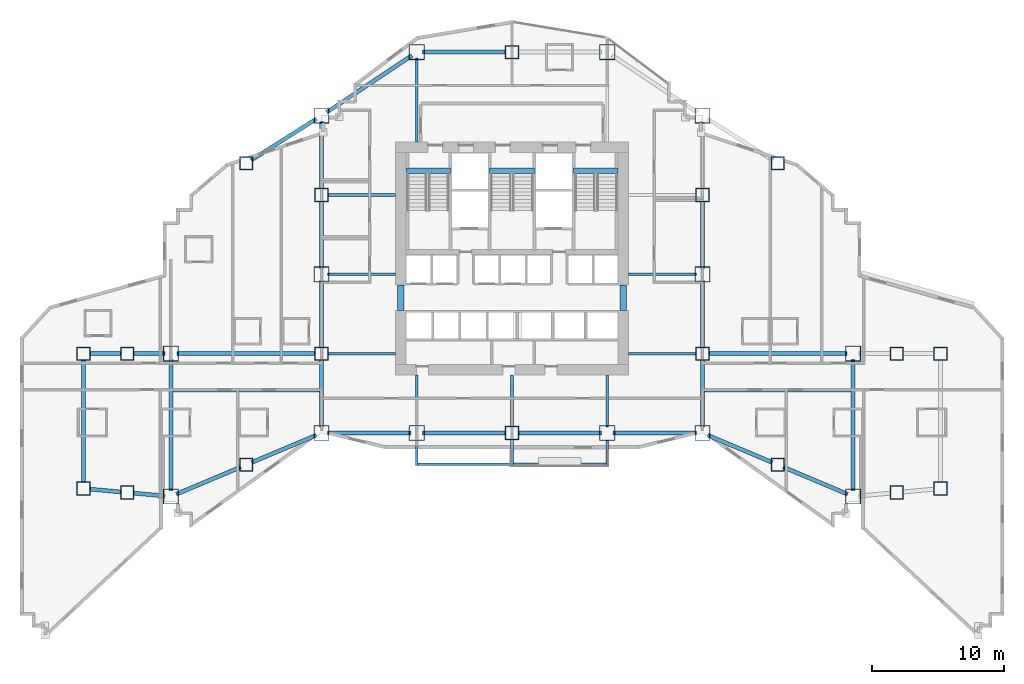
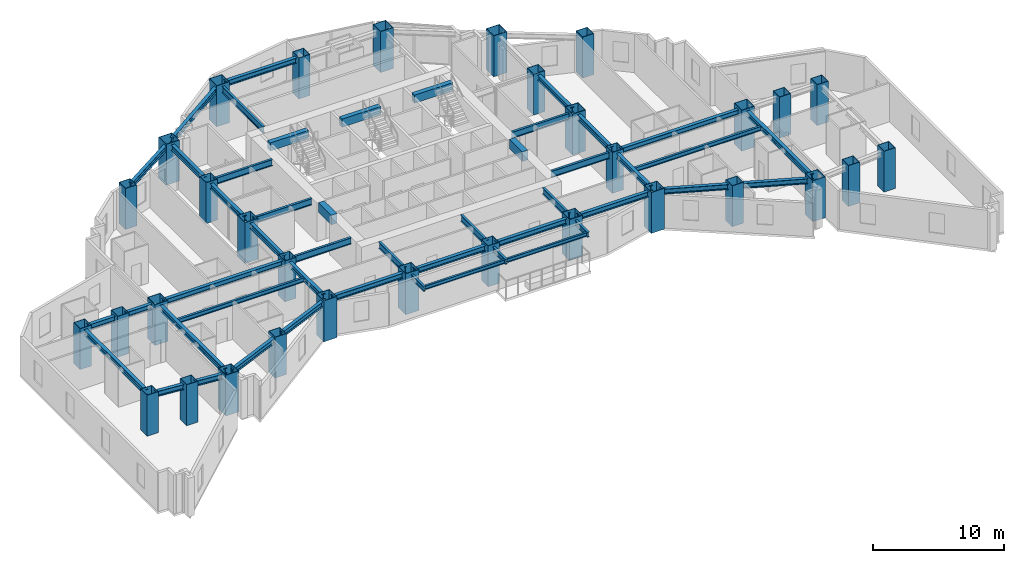
# One storey, part 1 of 15: 48 beams, 32 columns.
"""IFC4 building model written with IfcOpenShell, lengths in metres."""

import ifcopenshell
import ifcopenshell.guid

model = None  # the IFC model being written
_history = None  # IfcOwnerHistory: only IFC2X3 demands one
_inside = {}  # id of a spatial element -> (the spatial element, [elements in it])
_under = {}  # id of a project, library or spatial element -> (it, [spatial elements below it])
_declared = {}  # id of a project -> (the project, [libraries it declares])
_typed = {}  # id of a type object -> (the type object, [elements of that type])
_made_of = {}  # id of a material, layer set ... -> (it, [elements and type objects made of it])


def new_model(schema):
    """Start an empty IFC model of exactly this schema.

    Asked for "IFC4X3", IfcOpenShell would pick the latest addendum, in which some entities
    have other attributes; the version numbers below select the first issue.
    IFC2X3 requires an IfcOwnerHistory on every rooted entity: one is made here for all.
    """
    global model, _history
    if schema == "IFC4X3":
        model = ifcopenshell.file(schema_version=(4, 3, 0, 0))
    else:
        model = ifcopenshell.file(schema=schema)
    _inside.clear()
    _under.clear()
    _declared.clear()
    _typed.clear()
    _made_of.clear()
    _history = None
    if model.schema == "IFC2X3":
        org = make("IfcOrganization", Name="unknown")
        user = make(
            "IfcPersonAndOrganization",
            ThePerson=make("IfcPerson", FamilyName="unknown"),
            TheOrganization=org,
        )
        app = make(
            "IfcApplication",
            ApplicationDeveloper=org,
            Version="unknown",
            ApplicationFullName="unknown",
            ApplicationIdentifier="unknown",
        )
        _history = make(
            "IfcOwnerHistory",
            OwningUser=user,
            OwningApplication=app,
            ChangeAction="ADDED",
            CreationDate=0,
        )
    return model


def make(cls, **values):
    """One entity of the class cls with the attributes given. An attribute that is None is left unset."""
    return model.create_entity(
        cls, **{name: value for name, value in values.items() if value is not None}
    )


def rooted(cls, **values):
    """An entity with a GlobalId (a new one), such as an element, a storey or a relation."""
    return make(cls, GlobalId=ifcopenshell.guid.new(), OwnerHistory=_history, **values)


def si_unit(unit_type, name, prefix=None):
    """IfcSIUnit, for example si_unit("LENGTHUNIT", "METRE", prefix="MILLI")."""
    return make("IfcSIUnit", UnitType=unit_type, Prefix=prefix, Name=name)


def assignment(units):
    """IfcUnitAssignment: the units of a project."""
    return None if units is None else make("IfcUnitAssignment", Units=units)


def point(xyz):
    """IfcCartesianPoint."""
    return None if xyz is None else make("IfcCartesianPoint", Coordinates=xyz)


def direction(xyz):
    """IfcDirection."""
    return None if xyz is None else make("IfcDirection", DirectionRatios=xyz)


def frame(location, z_axis=None, x_axis=None):
    """IfcAxis2Placement3D, a coordinate frame: its origin and axes. An axis left out is left unset."""
    return make(
        "IfcAxis2Placement3D",
        Location=point(location),
        Axis=direction(z_axis),
        RefDirection=direction(x_axis),
    )


def frame_2d(location, x_axis=None):
    """IfcAxis2Placement2D, a coordinate frame in the plane: its origin and x axis."""
    return make(
        "IfcAxis2Placement2D", Location=point(location), RefDirection=direction(x_axis)
    )


def origin():
    """The frame at (0, 0, 0) with its axes left unset."""
    return frame((0.0, 0.0, 0.0))


def origin_2d():
    """The frame at (0, 0) in the plane with its x axis left unset."""
    return frame_2d((0.0, 0.0))


def place(relative_to, where):
    """IfcLocalPlacement: puts the frame where relative to a parent placement (None: the world)."""
    return make(
        "IfcLocalPlacement", PlacementRelTo=relative_to, RelativePlacement=where
    )


def context(
    kind, dimensions, precision=None, world=None, true_north=None, identifier=None
):
    """IfcGeometricRepresentationContext, for example the 3D "Model" context."""
    return make(
        "IfcGeometricRepresentationContext",
        ContextIdentifier=identifier,
        ContextType=kind,
        CoordinateSpaceDimension=dimensions,
        Precision=precision,
        WorldCoordinateSystem=world,
        TrueNorth=true_north,
    )


def subcontext(parent, identifier, kind, view, scale=None):
    """IfcGeometricRepresentationSubContext, for example "Body" below "Model"."""
    return make(
        "IfcGeometricRepresentationSubContext",
        ContextIdentifier=identifier,
        ContextType=kind,
        ParentContext=parent,
        TargetScale=scale,
        TargetView=view,
    )


def project(units=None, contexts=None):
    """IfcProject with its units and contexts."""
    return rooted(
        "IfcProject",
        Name="project",
        RepresentationContexts=contexts,
        UnitsInContext=assignment(units),
    )


def spatial(cls, under=None, at=None, **own):
    """A site, building, storey or space (cls), placed at a placement, below another one or the project."""
    s = rooted(cls, ObjectPlacement=at, **own)
    if under is not None:
        _under.setdefault(under.id(), (under, []))[1].append(s)
    return s


def profile(cls, at=None, kind="AREA", **sizes):
    """A parametric profile (cls). Its sizes go by their IFC names, for example OverallWidth=200.0."""
    return make(cls, ProfileType=kind, Position=at, **sizes)


def rectangle(**sizes):
    """IfcRectangleProfileDef."""
    return profile("IfcRectangleProfileDef", **sizes)


def hollow_rectangle(**sizes):
    """IfcRectangleHollowProfileDef."""
    return profile("IfcRectangleHollowProfileDef", **sizes)


def i_section(**sizes):
    """IfcIShapeProfileDef."""
    return profile("IfcIShapeProfileDef", **sizes)


def extrude(swept, where, along, depth):
    """IfcExtrudedAreaSolid: the profile swept, set in the frame where, extruded along a direction by depth."""
    return make(
        "IfcExtrudedAreaSolid",
        SweptArea=swept,
        Position=where,
        ExtrudedDirection=direction(along),
        Depth=depth,
    )


def shape(context_of_items, identifier, shape_type, items):
    """IfcShapeRepresentation: the items that make up one representation, for example the "Body"."""
    return make(
        "IfcShapeRepresentation",
        ContextOfItems=context_of_items,
        RepresentationIdentifier=identifier,
        RepresentationType=shape_type,
        Items=items,
    )


def material(Name=None, Category=None):
    """IfcMaterial."""
    return make("IfcMaterial", Name=Name, Category=Category)


def material_profile(
    of_material, cross_section, Name=None, Category=None, Priority=None
):
    """IfcMaterialProfile: a cross section and its material."""
    return make(
        "IfcMaterialProfile",
        Name=Name,
        Material=of_material,
        Profile=cross_section,
        Priority=Priority,
        Category=Category,
    )


def profile_set(profiles, Name=None, composite=None):
    """IfcMaterialProfileSet."""
    return make(
        "IfcMaterialProfileSet",
        Name=Name,
        MaterialProfiles=profiles,
        CompositeProfile=composite,
    )


def made_of(thing, what):
    """Note that an element or type object is made of a material, layer set ...; save() writes the relation."""
    if what is not None:
        _made_of.setdefault(what.id(), (what, []))[1].append(thing)
    return thing


def type_object(cls, material=None, **own):
    """A type object (cls), such as IfcWallType, which elements share."""
    return made_of(rooted(cls, **own), material)


def element(
    cls,
    number,
    at=None,
    inside=None,
    cuts=None,
    type_object=None,
    material=None,
    context=None,
    identifier="Body",
    shape_type=None,
    held_by="IfcProductDefinitionShape",
    body=None,
    shapes=None,
    **own,
):
    """One element of the class cls, such as IfcWall. Its Tag is "e" and its number.

    at: its placement. inside: the storey or other place that contains it. cuts: it is an
    opening in that element (IfcRelVoidsElement). A single representation is given by context,
    identifier, shape_type and body (its items); several are given by shapes. held_by: the class
    of the entity that holds the representations. save() writes the other relations.
    """
    e = rooted(cls, Tag="e%d" % number, ObjectPlacement=at, **own)
    if body is not None:
        shapes = [shape(context, identifier, shape_type, body)]
    if shapes is not None:
        e.Representation = make(held_by, Representations=shapes)
    if inside is not None:
        _inside.setdefault(inside.id(), (inside, []))[1].append(e)
    if cuts is not None:
        rooted(
            "IfcRelVoidsElement", RelatingBuildingElement=cuts, RelatedOpeningElement=e
        )
    if type_object is not None:
        _typed.setdefault(type_object.id(), (type_object, []))[1].append(e)
    return made_of(e, material)


def aggregate(whole, parts):
    """IfcRelAggregates: a whole, such as a stair, and the parts it consists of."""
    return rooted("IfcRelAggregates", RelatingObject=whole, RelatedObjects=parts)


def save(model, path):
    """Write the relations noted so far, then the file.

    IfcRelAggregates (storeys below a building ...), IfcRelContainedInSpatialStructure (elements
    in a storey), IfcRelDefinesByType, IfcRelAssociatesMaterial and IfcRelDeclares: one each for
    every whole, place, type object, material and project.
    """
    for whole, parts in _under.values():
        aggregate(whole, parts)
    for where, things in _inside.values():
        rooted(
            "IfcRelContainedInSpatialStructure",
            RelatedElements=things,
            RelatingStructure=where,
        )
    for kind, things in _typed.values():
        rooted("IfcRelDefinesByType", RelatedObjects=things, RelatingType=kind)
    for what, things in _made_of.values():
        rooted("IfcRelAssociatesMaterial", RelatedObjects=things, RelatingMaterial=what)
    for by, libraries in _declared.values():
        rooted("IfcRelDeclares", RelatingContext=by, RelatedDefinitions=libraries)
    model.write(path)


model = new_model("IFC4")

# Units and contexts
model_context = context("Model", 3, precision=1e-05, world=origin(), true_north=direction((0.0, 1.0)))
body_context = subcontext(model_context, "Body", "Model", "MODEL_VIEW")
ifc_project = project(units=[si_unit("LENGTHUNIT", "METRE"), si_unit("AREAUNIT", "SQUARE_METRE"), si_unit("VOLUMEUNIT", "CUBIC_METRE"), si_unit("PLANEANGLEUNIT", "RADIAN"), si_unit("MASSUNIT", "GRAM", prefix="KILO")], contexts=[model_context])

# Site, building, storey
site_placement = place(None, origin())
site = spatial("IfcSite", under=ifc_project, at=site_placement, CompositionType="ELEMENT")
building_placement = place(site_placement, origin())
building = spatial("IfcBuilding", under=site, at=building_placement, Name="Haolan Belvedere Tower", CompositionType="ELEMENT")
storey_placement = place(building_placement, frame((0.0, 0.0, 70.39990234375)))
storey = spatial("IfcBuildingStorey", under=building, at=storey_placement, Name="L17", CompositionType="ELEMENT", Elevation=70.39990234375)

# Columns
ifc_material_1 = material(Name="Steel Q420GJC", Category="steel")
ifc_material_profile_1 = material_profile(ifc_material_1, hollow_rectangle(XDim=1.0, YDim=1.0, WallThickness=0.0380859375, at=origin_2d()), Name="Steel Q420GJC")
ifc_profile_set_1 = profile_set([ifc_material_profile_1], Name="Steel Q420GJC")
column_type_1 = type_object("IfcColumnType", Name="COL-BOX1000x1000x38", PredefinedType="COLUMN", material=ifc_profile_set_1)
for number, where, z_axis, x_axis, name in (
    (1, (6.0, 17.39990234375, 0.0), (0.0, 0.0, 1.0), (1.0, 0.0, 0.0), "L17 column MC-T1-SW (BOX1000x1000x38)"),
    (2, (6.0, 27.60009765625, 0.0), (0.0, 0.0, 1.0), (1.0, 0.0, 0.0), "L17 column MC-T1-NW (BOX1000x1000x38)"),
    (3, (70.800048828125, 17.39990234375, 0.0), (0.0, 0.0, 1.0), (1.0, 0.0, 0.0), "L17 column MC-T5-SE (BOX1000x1000x38)"),
    (4, (70.800048828125, 27.60009765625, 0.0), (0.0, 0.0, 1.0), (1.0, 0.0, 0.0), "L17 column MC-T5-NE (BOX1000x1000x38)"),
    (5, (24.0, 27.60009765625, 0.0), (0.0, 0.0, 1.0), (1.0, 0.0, 0.0), "L17 column TC-T3-W1 (BOX1000x1000x38)"),
    (6, (24.0, 39.60009765625, 0.0), (0.0, 0.0, 1.0), (1.0, 0.0, 0.0), "L17 column TC-T3-W2 (BOX1000x1000x38)"),
    (7, (52.800048828125, 27.60009765625, 0.0), (0.0, 0.0, 1.0), (1.0, 0.0, 0.0), "L17 column TC-T3-E1 (BOX1000x1000x38)"),
    (8, (52.800048828125, 39.60009765625, 0.0), (0.0, 0.0, 1.0), (1.0, 0.0, 0.0), "L17 column TC-T3-E2 (BOX1000x1000x38)"),
    (9, (38.39990234375, 21.60009765625, 0.0), (0.0, 0.0, 1.0), (1.0, 0.0, 0.0), "L17 column TC-T3-SM (BOX1000x1000x38)"),
    (10, (38.39990234375, 50.39990234375, 0.0), (0.0, 0.0, 1.0), (1.0, 0.0, 0.0), "L17 column TC-T3-NM (BOX1000x1000x38)"),
    (11, (18.300048828125, 19.199951171875, 0.0), (0.0, 0.0, 1.0), (1.0, 0.0, 0.0), "L17 column TC-T2-S1 (BOX1000x1000x38)"),
    (12, (18.300048828125, 42.0, 0.0), (0.0, 0.0, 1.0), (1.0, 0.0, 0.0), "L17 column TC-T2-N1 (BOX1000x1000x38)"),
    (13, (58.5, 19.199951171875, 0.0), (0.0, 0.0, 1.0), (1.0, 0.0, 0.0), "L17 column TC-T4-S1 (BOX1000x1000x38)"),
    (14, (58.5, 42.0, 0.0), (0.0, 0.0, 1.0), (1.0, 0.0, 0.0), "L17 column TC-T4-N1 (BOX1000x1000x38)"),
    (15, (9.300048828125, 17.10009765625, 0.0), (0.0, 0.0, 1.0), (1.0, 0.0, 0.0), "L17 column TC-T1-M1 (BOX1000x1000x38)"),
    (16, (9.300048828125, 27.60009765625, 0.0), (0.0, 0.0, 1.0), (1.0, 0.0, 0.0), "L17 column TC-T1-M2 (BOX1000x1000x38)"),
    (17, (67.5, 17.10009765625, 0.0), (0.0, 0.0, 1.0), (1.0, 0.0, 0.0), "L17 column TC-T5-M1 (BOX1000x1000x38)"),
    (18, (67.5, 27.60009765625, 0.0), (0.0, 0.0, 1.0), (1.0, 0.0, 0.0), "L17 column TC-T5-M2 (BOX1000x1000x38)"),
):
    element("IfcColumn", number, at=place(storey_placement, frame(where, z_axis=z_axis, x_axis=x_axis)), inside=storey, type_object=column_type_1, Name=name, PredefinedType="COLUMN", context=body_context, shape_type="SweptSolid", body=[
        extrude(hollow_rectangle(XDim=1.0, YDim=1.0, WallThickness=0.0380859375, at=origin_2d()), origin(), (0.0, 0.0, 1.0), 3.800048828125),
    ])
ifc_material_2 = material(Name="Steel Q355B", Category="steel")
ifc_material_profile_2 = material_profile(ifc_material_2, hollow_rectangle(XDim=1.14990234375, YDim=1.14990234375, WallThickness=0.0419921875, at=origin_2d()), Name="Steel Q355B")
ifc_profile_set_2 = profile_set([ifc_material_profile_2], Name="Steel Q355B")
column_type_2 = type_object("IfcColumnType", Name="COL-BOX1150x1150x42", PredefinedType="COLUMN", material=ifc_profile_set_2)
for number, where, z_axis, x_axis, name in (
    (19, (24.0, 21.60009765625, 0.0), (0.0, 0.0, 1.0), (1.0, 0.0, 0.0), "L17 column MC-T3-SW (BOX1150x1150x42)"),
    (20, (24.0, 33.60009765625, 0.0), (0.0, 0.0, 1.0), (1.0, 0.0, 0.0), "L17 column MC-T3-MW (BOX1150x1150x42)"),
    (21, (24.0, 45.60009765625, 0.0), (0.0, 0.0, 1.0), (1.0, 0.0, 0.0), "L17 column MC-T3-NW (BOX1150x1150x42)"),
    (22, (52.800048828125, 21.60009765625, 0.0), (0.0, 0.0, 1.0), (1.0, 0.0, 0.0), "L17 column MC-T3-SE (BOX1150x1150x42)"),
    (23, (52.800048828125, 33.60009765625, 0.0), (0.0, 0.0, 1.0), (1.0, 0.0, 0.0), "L17 column MC-T3-ME (BOX1150x1150x42)"),
    (24, (52.800048828125, 45.60009765625, 0.0), (0.0, 0.0, 1.0), (1.0, 0.0, 0.0), "L17 column MC-T3-NE (BOX1150x1150x42)"),
    (25, (31.199951171875, 21.60009765625, 0.0), (0.0, 0.0, 1.0), (1.0, 0.0, 0.0), "L17 column MC-T3-S1 (BOX1150x1150x42)"),
    (26, (45.60009765625, 21.60009765625, 0.0), (0.0, 0.0, 1.0), (1.0, 0.0, 0.0), "L17 column MC-T3-S2 (BOX1150x1150x42)"),
    (27, (31.199951171875, 50.39990234375, 0.0), (0.0, 0.0, 1.0), (1.0, 0.0, 0.0), "L17 column MC-T3-N1 (BOX1150x1150x42)"),
    (28, (45.60009765625, 50.39990234375, 0.0), (0.0, 0.0, 1.0), (1.0, 0.0, 0.0), "L17 column MC-T3-N2 (BOX1150x1150x42)"),
    (29, (12.60009765625, 16.800048828125, 0.0), (0.0, 0.0, 1.0), (1.0, 0.0, 0.0), "L17 column MC-T2-SW (BOX1150x1150x42)"),
    (30, (12.60009765625, 27.60009765625, 0.0), (0.0, 0.0, 1.0), (1.0, 0.0, 0.0), "L17 column MC-T2-MW (BOX1150x1150x42)"),
    (31, (64.199951171875, 16.800048828125, 0.0), (0.0, 0.0, 1.0), (1.0, 0.0, 0.0), "L17 column MC-T4-SE (BOX1150x1150x42)"),
    (32, (64.199951171875, 27.60009765625, 0.0), (0.0, 0.0, 1.0), (1.0, 0.0, 0.0), "L17 column MC-T4-ME (BOX1150x1150x42)"),
):
    element("IfcColumn", number, at=place(storey_placement, frame(where, z_axis=z_axis, x_axis=x_axis)), inside=storey, type_object=column_type_2, Name=name, PredefinedType="COLUMN", context=body_context, shape_type="SweptSolid", body=[
        extrude(hollow_rectangle(XDim=1.14990234375, YDim=1.14990234375, WallThickness=0.0419921875, at=origin_2d()), origin(), (0.0, 0.0, 1.0), 3.800048828125),
    ])

# Beams
ifc_material_profile_3 = material_profile(ifc_material_2, i_section(OverallWidth=0.300048828125, OverallDepth=0.488037109375, WebThickness=0.010986328125, FlangeThickness=0.01806640625, FilletRadius=0.02587890625, at=origin_2d()), Name="Steel Q355B")
ifc_profile_set_3 = profile_set([ifc_material_profile_3], Name="Steel Q355B")
beam_type_1 = type_object("IfcBeamType", Name="BM-HM488x300x11x18", PredefinedType="SPANDREL", material=ifc_profile_set_3)
for number, where, z_axis, x_axis, name in (
    (33, (24.0, 22.050048828125, 3.356201171875), (0.0, 1.0, 0.0), (-1.0, 0.0, 0.0), "L17 spandrel girder MC-T3-SW-TC-T3-W1"),
    (34, (24.0, 28.050048828125, 3.356201171875), (0.0, 1.0, 0.0), (-1.0, 0.0, 0.0), "L17 spandrel girder TC-T3-W1-MC-T3-MW"),
    (35, (24.0, 34.050048828125, 3.356201171875), (0.0, 1.0, 0.0), (-1.0, 0.0, 0.0), "L17 spandrel girder MC-T3-MW-TC-T3-W2"),
    (36, (24.0, 40.050048828125, 3.356201171875), (0.0, 1.0, 0.0), (-1.0, 0.0, 0.0), "L17 spandrel girder TC-T3-W2-MC-T3-NW"),
    (37, (52.800048828125, 22.050048828125, 3.356201171875), (0.0, 1.0, 0.0), (-1.0, 0.0, 0.0), "L17 spandrel girder MC-T3-SE-TC-T3-E1"),
    (38, (52.800048828125, 28.050048828125, 3.356201171875), (0.0, 1.0, 0.0), (-1.0, 0.0, 0.0), "L17 spandrel girder TC-T3-E1-MC-T3-ME"),
    (39, (52.800048828125, 34.050048828125, 3.356201171875), (0.0, 1.0, 0.0), (-1.0, 0.0, 0.0), "L17 spandrel girder MC-T3-ME-TC-T3-E2"),
):
    element("IfcBeam", number, at=place(storey_placement, frame(where, z_axis=z_axis, x_axis=x_axis)), inside=storey, type_object=beam_type_1, Name=name, PredefinedType="SPANDREL", context=body_context, shape_type="SweptSolid", body=[
        extrude(i_section(OverallWidth=0.300048828125, OverallDepth=0.488037109375, WebThickness=0.010986328125, FlangeThickness=0.01806640625, FilletRadius=0.02587890625, at=origin_2d()), origin(), (0.0, 0.0, 1.0), 5.099853515625),
    ])
for number, where, z_axis, x_axis, name in (
    (40, (24.449951171875, 21.60009765625, 3.356201171875), (1.0, 0.0, 0.0), (0.0, 1.0, 0.0), "L17 spandrel girder MC-T3-SW-MC-T3-S1"),
    (41, (31.64990234375, 21.60009765625, 3.356201171875), (1.0, 0.0, 0.0), (0.0, 1.0, 0.0), "L17 spandrel girder MC-T3-S1-TC-T3-SM"),
):
    element("IfcBeam", number, at=place(storey_placement, frame(where, z_axis=z_axis, x_axis=x_axis)), inside=storey, type_object=beam_type_1, Name=name, PredefinedType="SPANDREL", context=body_context, shape_type="SweptSolid", body=[
        extrude(i_section(OverallWidth=0.300048828125, OverallDepth=0.488037109375, WebThickness=0.010986328125, FlangeThickness=0.01806640625, FilletRadius=0.02587890625, at=origin_2d()), origin(), (0.0, 0.0, 1.0), 6.300048828125),
    ])
beam_1_placement = place(storey_placement, frame((38.85009765625, 21.60009765625, 3.356201171875), z_axis=(1.0, 0.0, 0.0), x_axis=(0.0, 1.0, 0.0)))
element("IfcBeam", 42, at=beam_1_placement, inside=storey, type_object=beam_type_1, Name="L17 spandrel girder TC-T3-SM-MC-T3-S2", PredefinedType="SPANDREL", context=body_context, shape_type="SweptSolid", body=[
    extrude(i_section(OverallWidth=0.300048828125, OverallDepth=0.488037109375, WebThickness=0.010986328125, FlangeThickness=0.01806640625, FilletRadius=0.02587890625, at=origin_2d()), origin(), (0.0, 0.0, 1.0), 6.2998046875),
])
beam_2_placement = place(storey_placement, frame((46.050048828125, 21.60009765625, 3.356201171875), z_axis=(1.0, 0.0, 0.0), x_axis=(0.0, 1.0, 0.0)))
element("IfcBeam", 43, at=beam_2_placement, inside=storey, type_object=beam_type_1, Name="L17 spandrel girder MC-T3-S2-MC-T3-SE", PredefinedType="SPANDREL", context=body_context, shape_type="SweptSolid", body=[
    extrude(i_section(OverallWidth=0.300048828125, OverallDepth=0.488037109375, WebThickness=0.010986328125, FlangeThickness=0.01806640625, FilletRadius=0.02587890625, at=origin_2d()), origin(), (0.0, 0.0, 1.0), 6.300048828125),
])
beam_3_placement = place(storey_placement, frame((24.37451171875, 45.849609375, 3.356201171875), z_axis=(0.832050294338, 0.554700196225, 0.0), x_axis=(-0.554700196225, 0.832050294338, 0.0)))
element("IfcBeam", 44, at=beam_3_placement, inside=storey, type_object=beam_type_1, Name="L17 spandrel girder MC-T3-NW-MC-T3-N1", PredefinedType="SPANDREL", context=body_context, shape_type="SweptSolid", body=[
    extrude(i_section(OverallWidth=0.300048828125, OverallDepth=0.488037109375, WebThickness=0.010986328125, FlangeThickness=0.01806640625, FilletRadius=0.02587890625, at=origin_2d()), origin(), (0.0, 0.0, 1.0), 7.75341796875),
])
beam_4_placement = place(storey_placement, frame((31.64990234375, 50.39990234375, 3.356201171875), z_axis=(1.0, 0.0, 0.0), x_axis=(0.0, 1.0, 0.0)))
element("IfcBeam", 45, at=beam_4_placement, inside=storey, type_object=beam_type_1, Name="L17 spandrel girder MC-T3-N1-TC-T3-NM", PredefinedType="SPANDREL", context=body_context, shape_type="SweptSolid", body=[
    extrude(i_section(OverallWidth=0.300048828125, OverallDepth=0.488037109375, WebThickness=0.010986328125, FlangeThickness=0.01806640625, FilletRadius=0.02587890625, at=origin_2d()), origin(), (0.0, 0.0, 1.0), 6.300048828125),
])
beam_5_placement = place(storey_placement, frame((12.60009765625, 17.25, 3.356201171875), z_axis=(0.0, 1.0, 0.0), x_axis=(-1.0, 0.0, 0.0)))
element("IfcBeam", 46, at=beam_5_placement, inside=storey, type_object=beam_type_1, Name="L17 spandrel girder MC-T2-SW-MC-T2-MW", PredefinedType="SPANDREL", context=body_context, shape_type="SweptSolid", body=[
    extrude(i_section(OverallWidth=0.300048828125, OverallDepth=0.488037109375, WebThickness=0.010986328125, FlangeThickness=0.01806640625, FilletRadius=0.02587890625, at=origin_2d()), origin(), (0.0, 0.0, 1.0), 9.89990234375),
])
beam_6_placement = place(storey_placement, frame((13.0146484375, 16.974609375, 3.356201171875), z_axis=(0.921635375138, 0.388057000058, 0.0), x_axis=(-0.388057000058, 0.921635375138, 0.0)))
element("IfcBeam", 47, at=beam_6_placement, inside=storey, type_object=beam_type_1, Name="L17 spandrel girder MC-T2-SW-TC-T2-S1", PredefinedType="SPANDREL", context=body_context, shape_type="SweptSolid", body=[
    extrude(i_section(OverallWidth=0.300048828125, OverallDepth=0.488037109375, WebThickness=0.010986328125, FlangeThickness=0.01806640625, FilletRadius=0.02587890625, at=origin_2d()), origin(), (0.0, 0.0, 1.0), 5.28466796875),
])
beam_7_placement = place(storey_placement, frame((18.71484375, 19.37451171875, 3.356201171875), z_axis=(0.92162841793, 0.388073523014, 0.0), x_axis=(-0.388073523014, 0.92162841793, 0.0)))
element("IfcBeam", 48, at=beam_7_placement, inside=storey, type_object=beam_type_1, Name="L17 spandrel girder TC-T2-S1-MC-T3-SW", PredefinedType="SPANDREL", context=body_context, shape_type="SweptSolid", body=[
    extrude(i_section(OverallWidth=0.300048828125, OverallDepth=0.488037109375, WebThickness=0.010986328125, FlangeThickness=0.01806640625, FilletRadius=0.02587890625, at=origin_2d()), origin(), (0.0, 0.0, 1.0), 5.284423828125),
])
beam_8_placement = place(storey_placement, frame((18.680419921875, 42.240234375, 3.356201171875), z_axis=(0.845497840649, 0.533978839898, 0.0), x_axis=(-0.533978839898, 0.845497840649, 0.0)))
element("IfcBeam", 49, at=beam_8_placement, inside=storey, type_object=beam_type_1, Name="L17 spandrel girder TC-T2-N1-MC-T3-NW", PredefinedType="SPANDREL", context=body_context, shape_type="SweptSolid", body=[
    extrude(i_section(OverallWidth=0.300048828125, OverallDepth=0.488037109375, WebThickness=0.010986328125, FlangeThickness=0.01806640625, FilletRadius=0.02587890625, at=origin_2d()), origin(), (0.0, 0.0, 1.0), 5.841796875),
])
beam_9_placement = place(storey_placement, frame((13.050048828125, 27.60009765625, 3.356201171875), z_axis=(1.0, 0.0, 0.0), x_axis=(0.0, 1.0, 0.0)))
element("IfcBeam", 50, at=beam_9_placement, inside=storey, type_object=beam_type_1, Name="L17 spandrel girder MC-T2-MW-TC-T3-W1", PredefinedType="SPANDREL", context=body_context, shape_type="SweptSolid", body=[
    extrude(i_section(OverallWidth=0.300048828125, OverallDepth=0.488037109375, WebThickness=0.010986328125, FlangeThickness=0.01806640625, FilletRadius=0.02587890625, at=origin_2d()), origin(), (0.0, 0.0, 1.0), 10.5),
])
beam_10_placement = place(storey_placement, frame((64.199951171875, 17.25, 3.356201171875), z_axis=(0.0, 1.0, 0.0), x_axis=(-1.0, 0.0, 0.0)))
element("IfcBeam", 51, at=beam_10_placement, inside=storey, type_object=beam_type_1, Name="L17 spandrel girder MC-T4-SE-MC-T4-ME", PredefinedType="SPANDREL", context=body_context, shape_type="SweptSolid", body=[
    extrude(i_section(OverallWidth=0.300048828125, OverallDepth=0.488037109375, WebThickness=0.010986328125, FlangeThickness=0.01806640625, FilletRadius=0.02587890625, at=origin_2d()), origin(), (0.0, 0.0, 1.0), 9.89990234375),
])
for number, where, z_axis, x_axis, name in (
    (52, (53.21484375, 21.42529296875, 3.356201171875), (0.92162841793, -0.388073523014, 0.0), (0.388073523014, 0.92162841793, 0.0), "L17 spandrel girder MC-T3-SE-TC-T4-S1"),
    (53, (58.914794921875, 19.025390625, 3.356201171875), (0.92162841793, -0.388073523014, 0.0), (0.388073523014, 0.92162841793, 0.0), "L17 spandrel girder TC-T4-S1-MC-T4-SE"),
):
    element("IfcBeam", number, at=place(storey_placement, frame(where, z_axis=z_axis, x_axis=x_axis)), inside=storey, type_object=beam_type_1, Name=name, PredefinedType="SPANDREL", context=body_context, shape_type="SweptSolid", body=[
        extrude(i_section(OverallWidth=0.300048828125, OverallDepth=0.488037109375, WebThickness=0.010986328125, FlangeThickness=0.01806640625, FilletRadius=0.02587890625, at=origin_2d()), origin(), (0.0, 0.0, 1.0), 5.284423828125),
    ])
beam_11_placement = place(storey_placement, frame((53.25, 27.60009765625, 3.356201171875), z_axis=(1.0, 0.0, 0.0), x_axis=(0.0, 1.0, 0.0)))
element("IfcBeam", 54, at=beam_11_placement, inside=storey, type_object=beam_type_1, Name="L17 spandrel girder TC-T3-E1-MC-T4-ME", PredefinedType="SPANDREL", context=body_context, shape_type="SweptSolid", body=[
    extrude(i_section(OverallWidth=0.300048828125, OverallDepth=0.488037109375, WebThickness=0.010986328125, FlangeThickness=0.01806640625, FilletRadius=0.02587890625, at=origin_2d()), origin(), (0.0, 0.0, 1.0), 10.5),
])
beam_12_placement = place(storey_placement, frame((6.0, 17.85009765625, 3.356201171875), z_axis=(0.0, 1.0, 0.0), x_axis=(-1.0, 0.0, 0.0)))
element("IfcBeam", 55, at=beam_12_placement, inside=storey, type_object=beam_type_1, Name="L17 spandrel girder MC-T1-SW-MC-T1-NW", PredefinedType="SPANDREL", context=body_context, shape_type="SweptSolid", body=[
    extrude(i_section(OverallWidth=0.300048828125, OverallDepth=0.488037109375, WebThickness=0.010986328125, FlangeThickness=0.01806640625, FilletRadius=0.02587890625, at=origin_2d()), origin(), (0.0, 0.0, 1.0), 9.2998046875),
])
beam_13_placement = place(storey_placement, frame((6.4482421875, 17.359375, 3.356201171875), z_axis=(0.995884080761, -0.090636072764, 0.0), x_axis=(0.090636072764, 0.995884080761, 0.0)))
element("IfcBeam", 56, at=beam_13_placement, inside=storey, type_object=beam_type_1, Name="L17 spandrel girder MC-T1-SW-TC-T1-M1", PredefinedType="SPANDREL", context=body_context, shape_type="SweptSolid", body=[
    extrude(i_section(OverallWidth=0.300048828125, OverallDepth=0.488037109375, WebThickness=0.010986328125, FlangeThickness=0.01806640625, FilletRadius=0.02587890625, at=origin_2d()), origin(), (0.0, 0.0, 1.0), 2.41357421875),
])
beam_14_placement = place(storey_placement, frame((9.748046875, 17.059326171875, 3.356201171875), z_axis=(0.9958940355, -0.090526626221, 0.0), x_axis=(0.090526626221, 0.9958940355, 0.0)))
element("IfcBeam", 57, at=beam_14_placement, inside=storey, type_object=beam_type_1, Name="L17 spandrel girder TC-T1-M1-MC-T2-SW", PredefinedType="SPANDREL", context=body_context, shape_type="SweptSolid", body=[
    extrude(i_section(OverallWidth=0.300048828125, OverallDepth=0.488037109375, WebThickness=0.010986328125, FlangeThickness=0.01806640625, FilletRadius=0.02587890625, at=origin_2d()), origin(), (0.0, 0.0, 1.0), 2.413818359375),
])
beam_15_placement = place(storey_placement, frame((6.449951171875, 27.60009765625, 3.356201171875), z_axis=(1.0, 0.0, 0.0), x_axis=(0.0, 1.0, 0.0)))
element("IfcBeam", 58, at=beam_15_placement, inside=storey, type_object=beam_type_1, Name="L17 spandrel girder MC-T1-NW-TC-T1-M2", PredefinedType="SPANDREL", context=body_context, shape_type="SweptSolid", body=[
    extrude(i_section(OverallWidth=0.300048828125, OverallDepth=0.488037109375, WebThickness=0.010986328125, FlangeThickness=0.01806640625, FilletRadius=0.02587890625, at=origin_2d()), origin(), (0.0, 0.0, 1.0), 2.400146484375),
])
beam_16_placement = place(storey_placement, frame((9.75, 27.60009765625, 3.356201171875), z_axis=(1.0, 0.0, 0.0), x_axis=(0.0, 1.0, 0.0)))
element("IfcBeam", 59, at=beam_16_placement, inside=storey, type_object=beam_type_1, Name="L17 spandrel girder TC-T1-M2-MC-T2-MW", PredefinedType="SPANDREL", context=body_context, shape_type="SweptSolid", body=[
    extrude(i_section(OverallWidth=0.300048828125, OverallDepth=0.488037109375, WebThickness=0.010986328125, FlangeThickness=0.01806640625, FilletRadius=0.02587890625, at=origin_2d()), origin(), (0.0, 0.0, 1.0), 2.39990234375),
])
ifc_material_profile_4 = material_profile(ifc_material_2, i_section(OverallWidth=0.175048828125, OverallDepth=0.35009765625, WebThickness=0.007080078125, FlangeThickness=0.010986328125, FilletRadius=0.012939453125, at=origin_2d()), Name="Steel Q355B")
ifc_profile_set_4 = profile_set([ifc_material_profile_4], Name="Steel Q355B")
beam_type_2 = type_object("IfcBeamType", Name="BM-HN350x175x7x11", PredefinedType="JOIST", material=ifc_profile_set_4)
for number, where, z_axis, x_axis, name in (
    (60, (31.300048828125, 19.239990234375, 3.39501953125), (1.0, 0.0, 0.0), (0.0, 1.0, 0.0), "L18 tree-balcony front trimmer beam 1"),
    (61, (38.5, 19.239990234375, 3.39501953125), (1.0, 0.0, 0.0), (0.0, 1.0, 0.0), "L18 tree-balcony front trimmer beam 2"),
):
    element("IfcBeam", number, at=place(storey_placement, frame(where, z_axis=z_axis, x_axis=x_axis)), inside=storey, type_object=beam_type_2, Name=name, PredefinedType="BEAM", context=body_context, shape_type="SweptSolid", body=[
        extrude(i_section(OverallWidth=0.175048828125, OverallDepth=0.35009765625, WebThickness=0.007080078125, FlangeThickness=0.010986328125, FilletRadius=0.012939453125, at=origin_2d()), origin(), (0.0, 0.0, 1.0), 7.0),
    ])
ifc_material_profile_5 = material_profile(ifc_material_2, i_section(OverallWidth=0.199951171875, OverallDepth=0.39990234375, WebThickness=0.008056640625, FlangeThickness=0.012939453125, FilletRadius=0.01611328125, at=origin_2d()), Name="Steel Q355B")
ifc_profile_set_5 = profile_set([ifc_material_profile_5], Name="Steel Q355B")
beam_type_3 = type_object("IfcBeamType", Name="BM-HN400x200x8x13", PredefinedType="JOIST", material=ifc_profile_set_5)
for number, where, z_axis, x_axis, name in (
    (62, (12.75, 24.800048828125, 3.400146484375), (1.0, 0.0, 0.0), (0.0, 1.0, 0.0), "L17 west wing floor joist 1"),
    (63, (52.949951171875, 24.800048828125, 3.400146484375), (1.0, 0.0, 0.0), (0.0, 1.0, 0.0), "L17 east wing floor joist 1"),
):
    element("IfcBeam", number, at=place(storey_placement, frame(where, z_axis=z_axis, x_axis=x_axis)), inside=storey, type_object=beam_type_3, Name=name, PredefinedType="JOIST", context=body_context, shape_type="SweptSolid", body=[
        extrude(i_section(OverallWidth=0.199951171875, OverallDepth=0.39990234375, WebThickness=0.008056640625, FlangeThickness=0.012939453125, FilletRadius=0.01611328125, at=origin_2d()), origin(), (0.0, 0.0, 1.0), 11.10009765625),
    ])
ifc_material_profile_6 = material_profile(ifc_material_2, i_section(OverallWidth=0.199951171875, OverallDepth=0.449951171875, WebThickness=0.009033203125, FlangeThickness=0.013916015625, FilletRadius=0.01611328125, at=origin_2d()), Name="Steel Q355B")
ifc_profile_set_6 = profile_set([ifc_material_profile_6], Name="Steel Q355B")
beam_type_4 = type_object("IfcBeamType", Name="BM-HN450x200x9x14", PredefinedType="BEAM", material=ifc_profile_set_6)
beam_17_placement = place(storey_placement, frame((31.199951171875, 21.02490234375, 3.34521484375), z_axis=(0.0, -1.0, 0.0), x_axis=(1.0, 0.0, 0.0)))
element("IfcBeam", 64, at=beam_17_placement, inside=storey, type_object=beam_type_4, Name="L18 tree-balcony column cantilever MC-T3-S1", PredefinedType="BEAM", context=body_context, shape_type="SweptSolid", body=[
    extrude(i_section(OverallWidth=0.199951171875, OverallDepth=0.449951171875, WebThickness=0.009033203125, FlangeThickness=0.013916015625, FilletRadius=0.01611328125, at=origin_2d()), origin(), (0.0, 0.0, 1.0), 1.885009765625),
])
beam_18_placement = place(storey_placement, frame((38.39990234375, 21.10009765625, 3.34521484375), z_axis=(0.0, -1.0, 0.0), x_axis=(1.0, 0.0, 0.0)))
element("IfcBeam", 65, at=beam_18_placement, inside=storey, type_object=beam_type_4, Name="L18 tree-balcony column cantilever TC-T3-SM", PredefinedType="BEAM", context=body_context, shape_type="SweptSolid", body=[
    extrude(i_section(OverallWidth=0.199951171875, OverallDepth=0.449951171875, WebThickness=0.009033203125, FlangeThickness=0.013916015625, FilletRadius=0.01611328125, at=origin_2d()), origin(), (0.0, 0.0, 1.0), 1.960205078125),
])
beam_19_placement = place(storey_placement, frame((45.60009765625, 21.02490234375, 3.34521484375), z_axis=(0.0, -1.0, 0.0), x_axis=(1.0, 0.0, 0.0)))
element("IfcBeam", 66, at=beam_19_placement, inside=storey, type_object=beam_type_4, Name="L18 tree-balcony column cantilever MC-T3-S2", PredefinedType="BEAM", context=body_context, shape_type="SweptSolid", body=[
    extrude(i_section(OverallWidth=0.199951171875, OverallDepth=0.449951171875, WebThickness=0.009033203125, FlangeThickness=0.013916015625, FilletRadius=0.01611328125, at=origin_2d()), origin(), (0.0, 0.0, 1.0), 1.885009765625),
])
ifc_material_profile_7 = material_profile(ifc_material_2, i_section(OverallWidth=0.199951171875, OverallDepth=0.60009765625, WebThickness=0.010986328125, FlangeThickness=0.01708984375, FilletRadius=0.02197265625, at=origin_2d()), Name="Steel Q355B")
ifc_profile_set_7 = profile_set([ifc_material_profile_7], Name="Steel Q355B")
beam_type_5 = type_object("IfcBeamType", Name="BM-HN600x200x11x17", PredefinedType="BEAM", material=ifc_profile_set_7)
for number, where, z_axis, x_axis, name in (
    (67, (24.449951171875, 33.60009765625, 3.300048828125), (1.0, 0.0, 0.0), (0.0, 1.0, 0.0), "L17 core tie beam from MC-T3-MW"),
    (68, (24.449951171875, 27.60009765625, 3.300048828125), (1.0, 0.0, 0.0), (0.0, 1.0, 0.0), "L17 core tie beam from TC-T3-W1"),
    (69, (24.449951171875, 39.60009765625, 3.300048828125), (1.0, 0.0, 0.0), (0.0, 1.0, 0.0), "L17 core tie beam from TC-T3-W2"),
    (70, (52.35009765625, 33.60009765625, 3.300048828125), (-1.0, 0.0, 0.0), (0.0, -1.0, 0.0), "L17 core tie beam from MC-T3-ME"),
    (71, (52.35009765625, 27.60009765625, 3.300048828125), (-1.0, 0.0, 0.0), (0.0, -1.0, 0.0), "L17 core tie beam from TC-T3-E1"),
):
    element("IfcBeam", number, at=place(storey_placement, frame(where, z_axis=z_axis, x_axis=x_axis)), inside=storey, type_object=beam_type_5, Name=name, PredefinedType="BEAM", context=body_context, shape_type="SweptSolid", body=[
        extrude(i_section(OverallWidth=0.199951171875, OverallDepth=0.60009765625, WebThickness=0.010986328125, FlangeThickness=0.01708984375, FilletRadius=0.02197265625, at=origin_2d()), origin(), (0.0, 0.0, 1.0), 5.150146484375),
    ])
for number, where, z_axis, x_axis, name in (
    (72, (31.199951171875, 22.050048828125, 3.300048828125), (0.0, 1.0, 0.0), (-1.0, 0.0, 0.0), "L17 core tie beam from MC-T3-S1"),
    (73, (38.39990234375, 22.050048828125, 3.300048828125), (0.0, 1.0, 0.0), (-1.0, 0.0, 0.0), "L17 core tie beam from TC-T3-SM"),
    (74, (45.60009765625, 22.050048828125, 3.300048828125), (0.0, 1.0, 0.0), (-1.0, 0.0, 0.0), "L17 core tie beam from MC-T3-S2"),
):
    element("IfcBeam", number, at=place(storey_placement, frame(where, z_axis=z_axis, x_axis=x_axis)), inside=storey, type_object=beam_type_5, Name=name, PredefinedType="BEAM", context=body_context, shape_type="SweptSolid", body=[
        extrude(i_section(OverallWidth=0.199951171875, OverallDepth=0.60009765625, WebThickness=0.010986328125, FlangeThickness=0.01708984375, FilletRadius=0.02197265625, at=origin_2d()), origin(), (0.0, 0.0, 1.0), 3.949951171875),
    ])
beam_20_placement = place(storey_placement, frame((31.199951171875, 49.949951171875, 3.300048828125), z_axis=(0.0, -1.0, 0.0), x_axis=(1.0, 0.0, 0.0)))
element("IfcBeam", 75, at=beam_20_placement, inside=storey, type_object=beam_type_5, Name="L17 core tie beam from MC-T3-N1", PredefinedType="BEAM", context=body_context, shape_type="SweptSolid", body=[
    extrude(i_section(OverallWidth=0.199951171875, OverallDepth=0.60009765625, WebThickness=0.010986328125, FlangeThickness=0.01708984375, FilletRadius=0.02197265625, at=origin_2d()), origin(), (0.0, 0.0, 1.0), 6.349853515625),
])
ifc_material_3 = material(Name="Concrete C50/60", Category="concrete")
ifc_material_profile_8 = material_profile(ifc_material_3, rectangle(XDim=0.39990234375, YDim=0.75, at=origin_2d()), Name="Concrete C50/60")
ifc_profile_set_8 = profile_set([ifc_material_profile_8], Name="Concrete C50/60")
beam_type_6 = type_object("IfcBeamType", Name="BM-RC400x750", PredefinedType="T_BEAM", material=ifc_profile_set_8)
beam_21_placement = place(storey_placement, frame((30.3798828125, 41.429931640625, 3.425048828125), z_axis=(1.0, 0.0, 0.0), x_axis=(0.0, 1.0, 0.0)))
element("IfcBeam", 76, at=beam_21_placement, inside=storey, type_object=beam_type_6, Name="L18 stair ST1 RC header trimmer beam", PredefinedType="BEAM", context=body_context, shape_type="SweptSolid", body=[
    extrude(rectangle(XDim=0.39990234375, YDim=0.75, at=origin_2d()), origin(), (0.0, 0.0, 1.0), 3.360107421875),
])
beam_22_placement = place(storey_placement, frame((36.699951171875, 41.429931640625, 3.425048828125), z_axis=(1.0, 0.0, 0.0), x_axis=(0.0, 1.0, 0.0)))
element("IfcBeam", 77, at=beam_22_placement, inside=storey, type_object=beam_type_6, Name="L18 stair ST3 RC header trimmer beam", PredefinedType="BEAM", context=body_context, shape_type="SweptSolid", body=[
    extrude(rectangle(XDim=0.39990234375, YDim=0.75, at=origin_2d()), origin(), (0.0, 0.0, 1.0), 3.400146484375),
])
beam_23_placement = place(storey_placement, frame((43.06005859375, 41.429931640625, 3.425048828125), z_axis=(1.0, 0.0, 0.0), x_axis=(0.0, 1.0, 0.0)))
element("IfcBeam", 78, at=beam_23_placement, inside=storey, type_object=beam_type_6, Name="L18 stair ST2 RC header trimmer beam", PredefinedType="BEAM", context=body_context, shape_type="SweptSolid", body=[
    extrude(rectangle(XDim=0.39990234375, YDim=0.75, at=origin_2d()), origin(), (0.0, 0.0, 1.0), 3.35986328125),
])
ifc_material_4 = material(Name="Concrete C60/75", Category="concrete")
ifc_material_profile_9 = material_profile(ifc_material_4, rectangle(XDim=0.5, YDim=0.89990234375, at=origin_2d()), Name="Concrete C60/75")
ifc_profile_set_9 = profile_set([ifc_material_profile_9], Name="Concrete C60/75")
beam_type_7 = type_object("IfcBeamType", Name="BM-RC500x900", PredefinedType="LINTEL", material=ifc_profile_set_9)
for number, where, z_axis, x_axis, name in (
    (79, (30.0, 30.85009765625, 3.150146484375), (0.0, 1.0, 0.0), (-1.0, 0.0, 0.0), "L17 west core coupling beam CB-01"),
    (80, (46.800048828125, 30.85009765625, 3.150146484375), (0.0, 1.0, 0.0), (-1.0, 0.0, 0.0), "L17 east core coupling beam CB-01"),
):
    element("IfcBeam", number, at=place(storey_placement, frame(where, z_axis=z_axis, x_axis=x_axis)), inside=storey, type_object=beam_type_7, Name=name, PredefinedType="LINTEL", context=body_context, shape_type="SweptSolid", body=[
        extrude(rectangle(XDim=0.5, YDim=0.89990234375, at=origin_2d()), origin(), (0.0, 0.0, 1.0), 1.949951171875),
    ])

save(model, "model.ifc")
